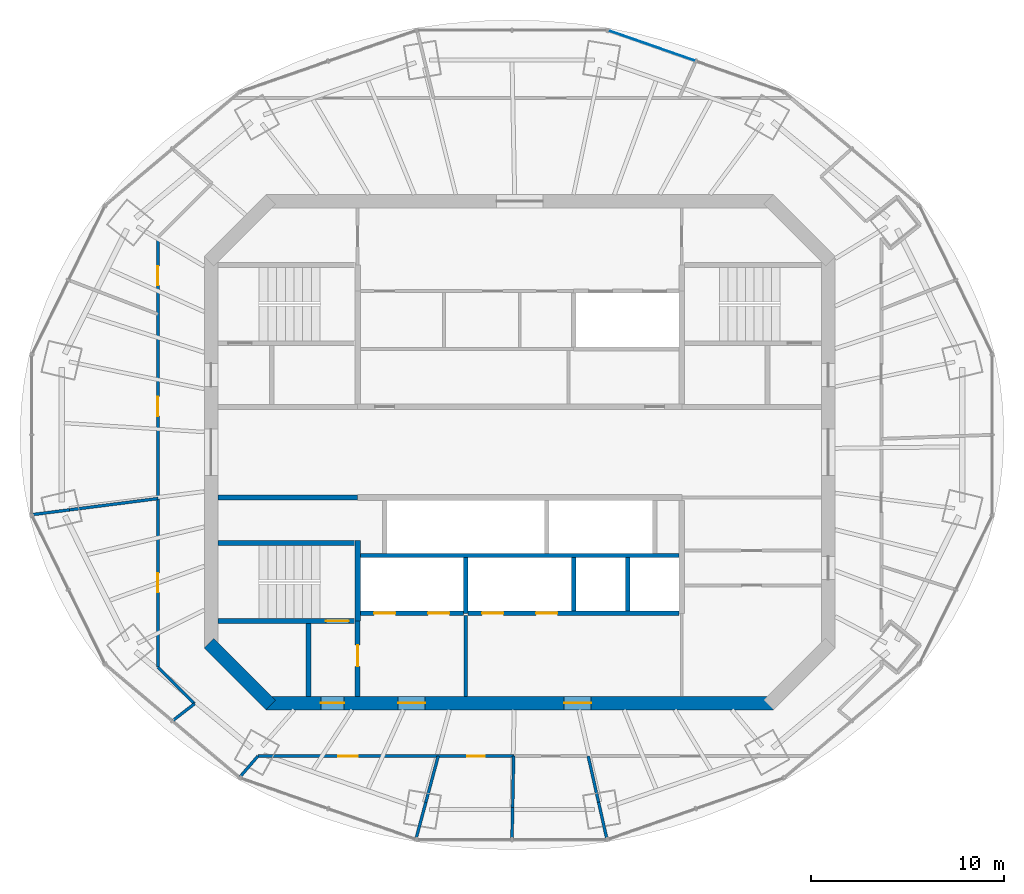
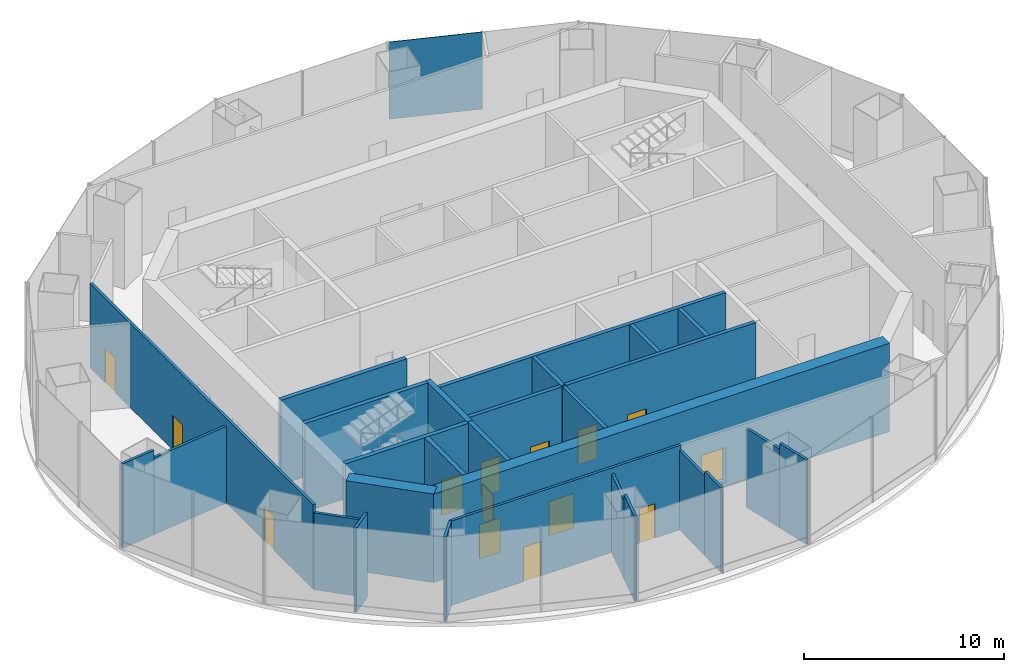
# One storey, part 7 of 11: 28 walls, 14 doors, 1 plate, 14 openings, 1 element without a shape of its own.
"""IFC4 building model written with IfcOpenShell, lengths in metres."""

from ifc_helpers import new_model, si_unit, direction, frame, frame_2d, origin, origin_2d, place, context, subcontext, project, spatial, rectangle, extrude, material, layer, layer_set, type_object, element, fill, aggregate, save


model = new_model("IFC4")

# Units and contexts
model_context = context("Model", 3, precision=1e-05, world=origin(), true_north=direction((0.0, 1.0)))
body_context = subcontext(model_context, "Body", "Model", "MODEL_VIEW")
ifc_project = project(units=[si_unit("LENGTHUNIT", "METRE"), si_unit("AREAUNIT", "SQUARE_METRE"), si_unit("VOLUMEUNIT", "CUBIC_METRE"), si_unit("PLANEANGLEUNIT", "RADIAN"), si_unit("MASSUNIT", "GRAM", prefix="KILO")], contexts=[model_context])

# Site, building, storey
site_placement = place(None, origin())
site = spatial("IfcSite", under=ifc_project, at=site_placement, CompositionType="ELEMENT")
building_placement = place(site_placement, origin())
building = spatial("IfcBuilding", under=site, at=building_placement, Name="Marenthal Gate Tower", CompositionType="ELEMENT")
storey_placement = place(building_placement, frame((0.0, 0.0, 396.550048828125)))
storey = spatial("IfcBuildingStorey", under=building, at=storey_placement, Name="L90", CompositionType="ELEMENT", Elevation=396.550048828125)

# Curtain wall, plate
ifc_material_1 = material(Name="Aluminium and glass", Category="aluminium")
curtain_wall_type = type_object("IfcCurtainWallType", Name="Curtain wall observation", PredefinedType="NOTDEFINED", material=ifc_material_1)
curtain_wall_placement = place(storey_placement, origin())
curtain_wall = element("IfcCurtainWall", 1, at=curtain_wall_placement, inside=storey, type_object=curtain_wall_type, Name="Curtain wall L90 bay 3", PredefinedType="NOTDEFINED")
ifc_material_2 = material(Name="Glass, laminated impact-rated unit", Category="glass")
ifc_layer_1 = layer(ifc_material_2, 0.0400390625)
ifc_layer_set_1 = layer_set([ifc_layer_1], Name="Glass panel 40 observation")
plate_type = type_object("IfcPlateType", Name="Glass panel 40 observation", PredefinedType="CURTAIN_PANEL", material=ifc_layer_set_1)
plate_placement = place(storey_placement, frame((6.852783203125, 21.066162109375, 0.4501953125), z_axis=(0.0, 0.0, 1.0), x_axis=(-0.944171666203, 0.329453888639, 0.0)))
plate = element("IfcPlate", 2, at=plate_placement, type_object=plate_type, Name="Glass panel L90 bay 3.2", PredefinedType="CURTAIN_PANEL", context=body_context, shape_type="SweptSolid", body=[
    extrude(rectangle(XDim=4.7451171875, YDim=0.0400390625, at=origin_2d()), origin(), (0.0, 0.0, 1.0), 4.699951171875),
])
aggregate(curtain_wall, [plate])

# Wall
ifc_material_3 = material(Name="Concrete 60 MPa", Category="concrete")
ifc_layer_2 = layer(ifc_material_3, 0.699951171875)
ifc_layer_set_2 = layer_set([ifc_layer_2], Name="Core shear wall 700")
wall_type_1 = type_object("IfcWallType", Name="Core shear wall 700", PredefinedType="SHEAR", material=ifc_layer_set_2)
wall_1_placement = place(storey_placement, frame((-16.1025390625, -9.8974609375, -0.25), z_axis=(0.0, 0.0, 1.0), x_axis=(0.707106781187, -0.707106781187, 0.0)))
element("IfcWall", 3, at=wall_1_placement, inside=storey, type_object=wall_type_1, Name="Core wall 07", PredefinedType="SHEAR", context=body_context, shape_type="SweptSolid", body=[
    extrude(rectangle(XDim=4.53271484375, YDim=0.699951171875, at=frame_2d((2.266357421875, 0.0))), origin(), (0.0, 0.0, 1.0), 5.39990234375),
])

# Wall, openings, doors
wall_2_placement = place(storey_placement, frame((-13.14501953125, -13.0, -0.25), z_axis=(0.0, 0.0, 1.0), x_axis=(1.0, 0.0, 0.0)))
wall_2 = element("IfcWall", 4, at=wall_2_placement, inside=storey, type_object=wall_type_1, Name="Core wall 08", PredefinedType="SHEAR", context=body_context, shape_type="SweptSolid", body=[
    extrude(rectangle(XDim=26.2900390625, YDim=0.699951171875, at=frame_2d((13.14501953125, 0.0))), origin(), (0.0, 0.0, 1.0), 5.39990234375),
])
opening_1_placement = place(wall_2_placement, frame((2.844970703125, 0.0, 0.25)))
opening_1 = element("IfcOpeningElement", 5, at=opening_1_placement, cuts=wall_2, Name="Opening D001.06", PredefinedType="OPENING", context=body_context, shape_type="SweptSolid", body=[
    extrude(rectangle(XDim=1.199951171875, YDim=2.10009765625, at=frame_2d((0.60009765625, 1.050048828125))), frame((0.0, 0.35986328125, 0.0), z_axis=(0.0, -1.0, 0.0), x_axis=(1.0, 0.0, 0.0)), (0.0, 0.0, 1.0), 0.719970703125),
])
opening_2_placement = place(wall_2_placement, frame((6.844970703125, 0.0, 0.25)))
opening_2 = element("IfcOpeningElement", 6, at=opening_2_placement, cuts=wall_2, Name="Opening D004.01", PredefinedType="OPENING", context=body_context, shape_type="SweptSolid", body=[
    extrude(rectangle(XDim=1.39990234375, YDim=2.10009765625, at=frame_2d((0.699951171875, 1.050048828125))), frame((0.0, 0.35986328125, 0.0), z_axis=(0.0, -1.0, 0.0), x_axis=(1.0, 0.0, 0.0)), (0.0, 0.0, 1.0), 0.719970703125),
])
opening_3_placement = place(wall_2_placement, frame((15.445068359375, 0.0, 0.25)))
opening_3 = element("IfcOpeningElement", 7, at=opening_3_placement, cuts=wall_2, Name="Opening D004.02", PredefinedType="OPENING", context=body_context, shape_type="SweptSolid", body=[
    extrude(rectangle(XDim=1.39990234375, YDim=2.10009765625, at=frame_2d((0.699951171875, 1.050048828125))), frame((0.0, 0.35986328125, 0.0), z_axis=(0.0, -1.0, 0.0), x_axis=(1.0, 0.0, 0.0)), (0.0, 0.0, 1.0), 0.719970703125),
])
ifc_material_4 = material(Name="Steel fire door", Category="steel")
door_type_1 = type_object("IfcDoorType", Name="Fire door FD 45 1400 x 2100", OperationType="NOTDEFINED", PredefinedType="DOOR", material=ifc_material_4)
door_1_placement = place(opening_2_placement, origin())
door_1 = element("IfcDoor", 8, at=door_1_placement, inside=storey, type_object=door_type_1, Name="Door D004.01", OperationType="SINGLE_SWING_RIGHT", OverallHeight=2.10009765625, OverallWidth=1.39990234375, PredefinedType="DOOR", context=body_context, shape_type="SweptSolid", body=[
    extrude(rectangle(XDim=1.39990234375, YDim=2.10009765625, at=frame_2d((0.699951171875, 1.050048828125))), frame((0.0, 0.02490234375, 0.0), z_axis=(0.0, -1.0, 0.0), x_axis=(1.0, 0.0, 0.0)), (0.0, 0.0, 1.0), 0.050048828125),
])
fill(opening_2, door_1)
door_2_placement = place(opening_3_placement, origin())
door_2 = element("IfcDoor", 9, at=door_2_placement, inside=storey, type_object=door_type_1, Name="Door D004.02", OperationType="SINGLE_SWING_RIGHT", OverallHeight=2.10009765625, OverallWidth=1.39990234375, PredefinedType="DOOR", context=body_context, shape_type="SweptSolid", body=[
    extrude(rectangle(XDim=1.39990234375, YDim=2.10009765625, at=frame_2d((0.699951171875, 1.050048828125))), frame((0.0, 0.02490234375, 0.0), z_axis=(0.0, -1.0, 0.0), x_axis=(1.0, 0.0, 0.0)), (0.0, 0.0, 1.0), 0.050048828125),
])
fill(opening_3, door_2)
ifc_material_5 = material(Name="Steel fire door", Category="steel")
door_type_2 = type_object("IfcDoorType", Name="Fire door FD 90 1200 x 2100", OperationType="NOTDEFINED", PredefinedType="DOOR", material=ifc_material_5)
door_3_placement = place(opening_1_placement, origin())
door_3 = element("IfcDoor", 10, at=door_3_placement, inside=storey, type_object=door_type_2, Name="Door D001.06", OperationType="SINGLE_SWING_RIGHT", OverallHeight=2.10009765625, OverallWidth=1.199951171875, PredefinedType="DOOR", context=body_context, shape_type="SweptSolid", body=[
    extrude(rectangle(XDim=1.199951171875, YDim=2.10009765625, at=frame_2d((0.60009765625, 1.050048828125))), frame((0.0, 0.02490234375, 0.0), z_axis=(0.0, -1.0, 0.0), x_axis=(1.0, 0.0, 0.0)), (0.0, 0.0, 1.0), 0.050048828125),
])
fill(opening_1, door_3)

# Walls
ifc_material_6 = material(Name="Gypsum board on steel studs", Category="steel")
ifc_layer_3 = layer(ifc_material_6, 0.199951171875)
ifc_layer_set_3 = layer_set([ifc_layer_3], Name="Fire lobby wall 200")
wall_type_2 = type_object("IfcWallType", Name="Fire lobby wall 200", PredefinedType="PARTITIONING", material=ifc_layer_set_3)
wall_3_placement = place(storey_placement, frame((-2.800048828125, -12.64990234375, 0.0), z_axis=(0.0, 0.0, 1.0), x_axis=(0.0, 1.0, 0.0)))
element("IfcWall", 11, at=wall_3_placement, inside=storey, type_object=wall_type_2, Name="Fire wall 39", PredefinedType="PARTITIONING", context=body_context, shape_type="SweptSolid", body=[
    extrude(rectangle(XDim=4.18994140625, YDim=0.199951171875, at=frame_2d((2.094970703125, 0.0))), origin(), (0.0, 0.0, 1.0), 5.14990234375),
])
ifc_material_7 = material(Name="Concrete 50 MPa", Category="concrete")
ifc_layer_4 = layer(ifc_material_7, 0.300048828125)
ifc_layer_set_4 = layer_set([ifc_layer_4], Name="Hoistway shear wall 300")
wall_type_3 = type_object("IfcWallType", Name="Hoistway shear wall 300", PredefinedType="SHEAR", material=ifc_layer_set_4)
wall_4_placement = place(storey_placement, frame((-8.39990234375, -8.75, -0.25), z_axis=(0.0, 0.0, 1.0), x_axis=(0.0, 1.0, 0.0)))
element("IfcWall", 12, at=wall_4_placement, inside=storey, type_object=wall_type_3, Name="Hoistway wall 33", PredefinedType="SHEAR", context=body_context, shape_type="SweptSolid", body=[
    extrude(rectangle(XDim=4.175048828125, YDim=0.300048828125, at=frame_2d((2.08740234375, 0.0))), origin(), (0.0, 0.0, 1.0), 5.39990234375),
])

# Wall, openings, doors
ifc_material_8 = material(Name="Concrete 40 MPa", Category="concrete")
ifc_layer_5 = layer(ifc_material_8, 0.219970703125)
ifc_layer_set_5 = layer_set([ifc_layer_5], Name="Hoistway wall 220")
wall_type_4 = type_object("IfcWallType", Name="Hoistway wall 220", PredefinedType="STANDARD", material=ifc_layer_set_5)
wall_5_placement = place(storey_placement, frame((-8.25, -8.35009765625, 0.0), z_axis=(0.0, 0.0, 1.0), x_axis=(1.0, 0.0, 0.0)))
wall_5 = element("IfcWall", 13, at=wall_5_placement, inside=storey, type_object=wall_type_4, Name="Hoistway wall 10", PredefinedType="STANDARD", context=body_context, shape_type="SweptSolid", body=[
    extrude(rectangle(XDim=5.340087890625, YDim=0.219970703125, at=frame_2d((2.669921875, 0.0))), origin(), (0.0, 0.0, 1.0), 5.14990234375),
])
opening_4_placement = place(wall_5_placement, frame((0.699951171875, 0.0, 0.0)))
opening_4 = element("IfcOpeningElement", 14, at=opening_4_placement, cuts=wall_5, Name="Opening LD-LF1", PredefinedType="OPENING", context=body_context, shape_type="SweptSolid", body=[
    extrude(rectangle(XDim=1.10009765625, YDim=2.10009765625, at=frame_2d((0.550048828125, 1.050048828125))), frame((0.0, 0.1201171875, 0.0), z_axis=(0.0, -1.0, 0.0), x_axis=(1.0, 0.0, 0.0)), (0.0, 0.0, 1.0), 0.239990234375),
])
opening_5_placement = place(wall_5_placement, frame((3.5, 0.0, 0.0)))
opening_5 = element("IfcOpeningElement", 15, at=opening_5_placement, cuts=wall_5, Name="Opening LD-LF2", PredefinedType="OPENING", context=body_context, shape_type="SweptSolid", body=[
    extrude(rectangle(XDim=1.10009765625, YDim=2.10009765625, at=frame_2d((0.550048828125, 1.050048828125))), frame((0.0, 0.1201171875, 0.0), z_axis=(0.0, -1.0, 0.0), x_axis=(1.0, 0.0, 0.0)), (0.0, 0.0, 1.0), 0.239990234375),
])
ifc_material_9 = material(Name="Stainless steel sliding door", Category="steel")
door_type_3 = type_object("IfcDoorType", Name="Lift landing door FD 90 1100 x 2100", OperationType="DOUBLE_DOOR_SLIDING", PredefinedType="DOOR", material=ifc_material_9)
door_4_placement = place(opening_4_placement, origin())
door_4 = element("IfcDoor", 16, at=door_4_placement, inside=storey, type_object=door_type_3, Name="Lift landing door LF1", OperationType="DOUBLE_DOOR_SLIDING", OverallHeight=2.10009765625, OverallWidth=1.10009765625, PredefinedType="DOOR", context=body_context, shape_type="SweptSolid", body=[
    extrude(rectangle(XDim=1.10009765625, YDim=2.10009765625, at=frame_2d((0.550048828125, 1.050048828125))), frame((0.0, 0.02490234375, 0.0), z_axis=(0.0, -1.0, 0.0), x_axis=(1.0, 0.0, 0.0)), (0.0, 0.0, 1.0), 0.050048828125),
])
fill(opening_4, door_4)
door_5_placement = place(opening_5_placement, origin())
door_5 = element("IfcDoor", 17, at=door_5_placement, inside=storey, type_object=door_type_3, Name="Lift landing door LF2", OperationType="DOUBLE_DOOR_SLIDING", OverallHeight=2.10009765625, OverallWidth=1.10009765625, PredefinedType="DOOR", context=body_context, shape_type="SweptSolid", body=[
    extrude(rectangle(XDim=1.10009765625, YDim=2.10009765625, at=frame_2d((0.550048828125, 1.050048828125))), frame((0.0, 0.02490234375, 0.0), z_axis=(0.0, -1.0, 0.0), x_axis=(1.0, 0.0, 0.0)), (0.0, 0.0, 1.0), 0.050048828125),
])
fill(opening_5, door_5)

wall_6_placement = place(storey_placement, frame((-2.68994140625, -8.35009765625, 0.0), z_axis=(0.0, 0.0, 1.0), x_axis=(1.0, 0.0, 0.0)))
wall_6 = element("IfcWall", 18, at=wall_6_placement, inside=storey, type_object=wall_type_4, Name="Hoistway wall 11", PredefinedType="STANDARD", context=body_context, shape_type="SweptSolid", body=[
    extrude(rectangle(XDim=10.93994140625, YDim=0.219970703125, at=frame_2d((5.469970703125, 0.0))), origin(), (0.0, 0.0, 1.0), 5.14990234375),
])
opening_6_placement = place(wall_6_placement, frame((0.739990234375, 0.0, 0.0)))
opening_6 = element("IfcOpeningElement", 19, at=opening_6_placement, cuts=wall_6, Name="Opening LD-SV1", PredefinedType="OPENING", context=body_context, shape_type="SweptSolid", body=[
    extrude(rectangle(XDim=1.10009765625, YDim=2.10009765625, at=frame_2d((0.550048828125, 1.050048828125))), frame((0.0, 0.1201171875, 0.0), z_axis=(0.0, -1.0, 0.0), x_axis=(1.0, 0.0, 0.0)), (0.0, 0.0, 1.0), 0.239990234375),
])
opening_7_placement = place(wall_6_placement, frame((3.5400390625, 0.0, 0.0)))
opening_7 = element("IfcOpeningElement", 20, at=opening_7_placement, cuts=wall_6, Name="Opening LD-SV2", PredefinedType="OPENING", context=body_context, shape_type="SweptSolid", body=[
    extrude(rectangle(XDim=1.10009765625, YDim=2.10009765625, at=frame_2d((0.550048828125, 1.050048828125))), frame((0.0, 0.1201171875, 0.0), z_axis=(0.0, -1.0, 0.0), x_axis=(1.0, 0.0, 0.0)), (0.0, 0.0, 1.0), 0.239990234375),
])
door_6_placement = place(opening_6_placement, origin())
door_6 = element("IfcDoor", 21, at=door_6_placement, inside=storey, type_object=door_type_3, Name="Lift landing door SV1", OperationType="DOUBLE_DOOR_SLIDING", OverallHeight=2.10009765625, OverallWidth=1.10009765625, PredefinedType="DOOR", context=body_context, shape_type="SweptSolid", body=[
    extrude(rectangle(XDim=1.10009765625, YDim=2.10009765625, at=frame_2d((0.550048828125, 1.050048828125))), frame((0.0, 0.02490234375, 0.0), z_axis=(0.0, -1.0, 0.0), x_axis=(1.0, 0.0, 0.0)), (0.0, 0.0, 1.0), 0.050048828125),
])
fill(opening_6, door_6)
door_7_placement = place(opening_7_placement, origin())
door_7 = element("IfcDoor", 22, at=door_7_placement, inside=storey, type_object=door_type_3, Name="Lift landing door SV2", OperationType="DOUBLE_DOOR_SLIDING", OverallHeight=2.10009765625, OverallWidth=1.10009765625, PredefinedType="DOOR", context=body_context, shape_type="SweptSolid", body=[
    extrude(rectangle(XDim=1.10009765625, YDim=2.10009765625, at=frame_2d((0.550048828125, 1.050048828125))), frame((0.0, 0.02490234375, 0.0), z_axis=(0.0, -1.0, 0.0), x_axis=(1.0, 0.0, 0.0)), (0.0, 0.0, 1.0), 0.050048828125),
])
fill(opening_7, door_7)

# Walls
wall_7_placement = place(storey_placement, frame((-8.25, -5.35009765625, 0.0), z_axis=(0.0, 0.0, 1.0), x_axis=(1.0, 0.0, 0.0)))
element("IfcWall", 23, at=wall_7_placement, inside=storey, type_object=wall_type_4, Name="Hoistway wall 13", PredefinedType="STANDARD", context=body_context, shape_type="SweptSolid", body=[
    extrude(rectangle(XDim=16.5, YDim=0.219970703125, at=frame_2d((8.25, 0.0))), origin(), (0.0, 0.0, 1.0), 5.14990234375),
])
wall_8_placement = place(storey_placement, frame((-2.800048828125, -8.35009765625, 0.0), z_axis=(0.0, 0.0, 1.0), x_axis=(0.0, 1.0, 0.0)))
element("IfcWall", 24, at=wall_8_placement, inside=storey, type_object=wall_type_4, Name="Hoistway wall 40", PredefinedType="STANDARD", context=body_context, shape_type="SweptSolid", body=[
    extrude(rectangle(XDim=2.89013671875, YDim=0.219970703125, at=frame_2d((1.445068359375, 0.0))), origin(), (0.0, 0.0, 1.0), 5.14990234375),
])
for number, where, z_axis, x_axis, name in (
    (25, (2.800048828125, -8.239990234375, 0.0), (0.0, 0.0, 1.0), (0.0, 1.0, 0.0), "Hoistway wall 44"),
    (26, (5.60009765625, -8.239990234375, 0.0), (0.0, 0.0, 1.0), (0.0, 1.0, 0.0), "Hoistway wall 46"),
):
    element("IfcWall", number, at=place(storey_placement, frame(where, z_axis=z_axis, x_axis=x_axis)), inside=storey, type_object=wall_type_4, Name=name, PredefinedType="STANDARD", context=body_context, shape_type="SweptSolid", body=[
        extrude(rectangle(XDim=2.780029296875, YDim=0.219970703125, at=frame_2d((1.39013671875, 0.0))), origin(), (0.0, 0.0, 1.0), 5.14990234375),
    ])
ifc_material_10 = material(Name="Gypsum board on steel studs", Category="steel")
ifc_layer_6 = layer(ifc_material_10, 0.14990234375)
ifc_layer_set_6 = layer_set([ifc_layer_6], Name="Partition 150")
wall_type_5 = type_object("IfcWallType", Name="Partition 150", PredefinedType="PARTITIONING", material=ifc_layer_set_6)
wall_9_placement = place(storey_placement, frame((-25.272216796875, -3.23828125, 0.0), z_axis=(0.0, 0.0, 1.0), x_axis=(0.991889327686, 0.127104530296, 0.0)))
element("IfcWall", 27, at=wall_9_placement, inside=storey, type_object=wall_type_5, Name="Partition wall 57", PredefinedType="PARTITIONING", context=body_context, shape_type="SweptSolid", body=[
    extrude(rectangle(XDim=1.957275390625, YDim=0.14990234375, at=frame_2d((0.978515625, 0.0))), origin(), (0.0, 0.0, 1.0), 5.14990234375),
])
wall_10_placement = place(storey_placement, frame((-23.330810546875, -2.989501953125, 0.0), z_axis=(0.0, 0.0, 1.0), x_axis=(0.991891748856, 0.12708563472, 0.0)))
element("IfcWall", 28, at=wall_10_placement, inside=storey, type_object=wall_type_5, Name="Partition wall 88", PredefinedType="PARTITIONING", context=body_context, shape_type="SweptSolid", body=[
    extrude(rectangle(XDim=4.6181640625, YDim=0.14990234375, at=frame_2d((2.30908203125, 0.0))), origin(), (0.0, 0.0, 1.0), 4.682861328125),
])
wall_11_placement = place(storey_placement, frame((-17.9853515625, -13.9150390625, 0.0), z_axis=(0.0, 0.0, 1.0), x_axis=(0.790899150715, 0.611946511877, 0.0)))
element("IfcWall", 29, at=wall_11_placement, inside=storey, type_object=wall_type_5, Name="Partition wall 59", PredefinedType="PARTITIONING", context=body_context, shape_type="SweptSolid", body=[
    extrude(rectangle(XDim=1.433837890625, YDim=0.14990234375, at=frame_2d((0.716796875, 0.0))), origin(), (0.0, 0.0, 1.0), 5.14990234375),
])

# Wall, openings, doors
wall_12_placement = place(storey_placement, frame((-18.75, -11.13916015625, 0.0), z_axis=(0.0, 0.0, 1.0), x_axis=(0.0, 1.0, 0.0)))
wall_12 = element("IfcWall", 30, at=wall_12_placement, inside=storey, type_object=wall_type_5, Name="Partition wall 70", PredefinedType="PARTITIONING", context=body_context, shape_type="SweptSolid", body=[
    extrude(rectangle(XDim=22.2783203125, YDim=0.14990234375, at=frame_2d((11.13916015625, 0.0))), origin(), (0.0, 0.0, 1.0), 5.14990234375),
])
opening_8_placement = place(wall_12_placement, frame((19.78466796875, 0.0, 0.0)))
opening_8 = element("IfcOpeningElement", 31, at=opening_8_placement, cuts=wall_12, Name="Opening D012.06", PredefinedType="OPENING", context=body_context, shape_type="SweptSolid", body=[
    extrude(rectangle(XDim=1.0, YDim=2.10009765625, at=frame_2d((0.5, 1.050048828125))), frame((0.0, 0.0849609375, 0.0), z_axis=(0.0, -1.0, 0.0), x_axis=(1.0, 0.0, 0.0)), (0.0, 0.0, 1.0), 0.169921875),
])
opening_9_placement = place(wall_12_placement, frame((13.013671875, 0.0, 0.0)))
opening_9 = element("IfcOpeningElement", 32, at=opening_9_placement, cuts=wall_12, Name="Opening D012.07", PredefinedType="OPENING", context=body_context, shape_type="SweptSolid", body=[
    extrude(rectangle(XDim=1.0, YDim=2.10009765625, at=frame_2d((0.5, 1.050048828125))), frame((0.0, 0.0849609375, 0.0), z_axis=(0.0, -1.0, 0.0), x_axis=(1.0, 0.0, 0.0)), (0.0, 0.0, 1.0), 0.169921875),
])
opening_10_placement = place(wall_12_placement, frame((3.8681640625, 0.0, 0.0)))
opening_10 = element("IfcOpeningElement", 33, at=opening_10_placement, cuts=wall_12, Name="Opening D012.08", PredefinedType="OPENING", context=body_context, shape_type="SweptSolid", body=[
    extrude(rectangle(XDim=1.0, YDim=2.10009765625, at=frame_2d((0.5, 1.050048828125))), frame((0.0, 0.0849609375, 0.0), z_axis=(0.0, -1.0, 0.0), x_axis=(1.0, 0.0, 0.0)), (0.0, 0.0, 1.0), 0.169921875),
])
ifc_material_11 = material(Name="Timber door", Category="wood")
door_type_4 = type_object("IfcDoorType", Name="Door 1000 x 2100", OperationType="NOTDEFINED", PredefinedType="DOOR", material=ifc_material_11)
door_8_placement = place(opening_8_placement, origin())
door_8 = element("IfcDoor", 34, at=door_8_placement, inside=storey, type_object=door_type_4, Name="Door D012.06", OperationType="SINGLE_SWING_RIGHT", OverallHeight=2.10009765625, OverallWidth=1.0, PredefinedType="DOOR", context=body_context, shape_type="SweptSolid", body=[
    extrude(rectangle(XDim=1.0, YDim=2.10009765625, at=frame_2d((0.5, 1.050048828125))), frame((0.0, 0.02490234375, 0.0), z_axis=(0.0, -1.0, 0.0), x_axis=(1.0, 0.0, 0.0)), (0.0, 0.0, 1.0), 0.050048828125),
])
fill(opening_8, door_8)
door_9_placement = place(opening_9_placement, origin())
door_9 = element("IfcDoor", 35, at=door_9_placement, inside=storey, type_object=door_type_4, Name="Door D012.07", OperationType="SINGLE_SWING_RIGHT", OverallHeight=2.10009765625, OverallWidth=1.0, PredefinedType="DOOR", context=body_context, shape_type="SweptSolid", body=[
    extrude(rectangle(XDim=1.0, YDim=2.10009765625, at=frame_2d((0.5, 1.050048828125))), frame((0.0, 0.02490234375, 0.0), z_axis=(0.0, -1.0, 0.0), x_axis=(1.0, 0.0, 0.0)), (0.0, 0.0, 1.0), 0.050048828125),
])
fill(opening_9, door_9)
door_10_placement = place(opening_10_placement, origin())
door_10 = element("IfcDoor", 36, at=door_10_placement, inside=storey, type_object=door_type_4, Name="Door D012.08", OperationType="SINGLE_SWING_RIGHT", OverallHeight=2.10009765625, OverallWidth=1.0, PredefinedType="DOOR", context=body_context, shape_type="SweptSolid", body=[
    extrude(rectangle(XDim=1.0, YDim=2.10009765625, at=frame_2d((0.5, 1.050048828125))), frame((0.0, 0.02490234375, 0.0), z_axis=(0.0, -1.0, 0.0), x_axis=(1.0, 0.0, 0.0)), (0.0, 0.0, 1.0), 0.050048828125),
])
fill(opening_10, door_10)

# Walls
wall_13_placement = place(storey_placement, frame((4.516845703125, -20.04931640625, 0.0), z_axis=(0.0, 0.0, 1.0), x_axis=(-0.21980060665, 0.975544818712, 0.0)))
element("IfcWall", 37, at=wall_13_placement, inside=storey, type_object=wall_type_5, Name="Partition wall 71", PredefinedType="PARTITIONING", context=body_context, shape_type="SweptSolid", body=[
    extrude(rectangle(XDim=1.953857421875, YDim=0.14990234375, at=frame_2d((0.97705078125, 0.0))), origin(), (0.0, 0.0, 1.0), 5.14990234375),
])
wall_14_placement = place(storey_placement, frame((4.08740234375, -18.143310546875, 0.0), z_axis=(0.0, 0.0, 1.0), x_axis=(-0.219732416391, 0.975560180198, 0.0)))
element("IfcWall", 38, at=wall_14_placement, inside=storey, type_object=wall_type_5, Name="Partition wall 89", PredefinedType="PARTITIONING", context=body_context, shape_type="SweptSolid", body=[
    extrude(rectangle(XDim=2.453369140625, YDim=0.14990234375, at=frame_2d((1.2265625, 0.0))), origin(), (0.0, 0.0, 1.0), 4.796875),
])
wall_15_placement = place(storey_placement, frame((-16.847900390625, -13.041259765625, 0.0), z_axis=(0.0, 0.0, 1.0), x_axis=(-0.707106781187, 0.707106781187, 0.0)))
element("IfcWall", 39, at=wall_15_placement, inside=storey, type_object=wall_type_5, Name="Partition wall 76", PredefinedType="PARTITIONING", context=body_context, shape_type="SweptSolid", body=[
    extrude(rectangle(XDim=2.68994140625, YDim=0.14990234375, at=frame_2d((1.344970703125, 0.0))), origin(), (0.0, 0.0, 1.0), 4.68798828125),
])
ifc_material_12 = material(Name="Concrete 40 MPa", Category="concrete")
ifc_layer_7 = layer(ifc_material_12, 0.25)
ifc_layer_set_7 = layer_set([ifc_layer_7], Name="Stair enclosure wall 250")
wall_type_6 = type_object("IfcWallType", Name="Stair enclosure wall 250", PredefinedType="STANDARD", material=ifc_layer_set_7)
wall_16_placement = place(storey_placement, frame((-15.64990234375, -2.35009765625, 0.0), z_axis=(0.0, 0.0, 1.0), x_axis=(1.0, 0.0, 0.0)))
element("IfcWall", 40, at=wall_16_placement, inside=storey, type_object=wall_type_6, Name="Stair wall 16", PredefinedType="STANDARD", context=body_context, shape_type="SweptSolid", body=[
    extrude(rectangle(XDim=7.25, YDim=0.25, at=frame_2d((3.625, 0.0))), origin(), (0.0, 0.0, 1.0), 5.14990234375),
])
wall_17_placement = place(storey_placement, frame((-10.949951171875, -12.64990234375, 0.0), z_axis=(0.0, 0.0, 1.0), x_axis=(0.0, 1.0, 0.0)))
element("IfcWall", 41, at=wall_17_placement, inside=storey, type_object=wall_type_6, Name="Stair wall 31", PredefinedType="STANDARD", context=body_context, shape_type="SweptSolid", body=[
    extrude(rectangle(XDim=3.77490234375, YDim=0.25, at=frame_2d((1.887451171875, 0.0))), origin(), (0.0, 0.0, 1.0), 5.14990234375),
])

# Wall, opening, door
wall_18_placement = place(storey_placement, frame((-8.39990234375, -12.64990234375, 0.0), z_axis=(0.0, 0.0, 1.0), x_axis=(0.0, 1.0, 0.0)))
wall_18 = element("IfcWall", 42, at=wall_18_placement, inside=storey, type_object=wall_type_6, Name="Stair wall 32", PredefinedType="STANDARD", context=body_context, shape_type="SweptSolid", body=[
    extrude(rectangle(XDim=3.89990234375, YDim=0.25, at=frame_2d((1.949951171875, 0.0))), origin(), (0.0, 0.0, 1.0), 5.14990234375),
])
opening_11_placement = place(wall_18_placement, frame((1.550048828125, 0.0, 0.0)))
opening_11 = element("IfcOpeningElement", 43, at=opening_11_placement, cuts=wall_18, Name="Opening D002.01", PredefinedType="OPENING", context=body_context, shape_type="SweptSolid", body=[
    extrude(rectangle(XDim=1.10009765625, YDim=2.10009765625, at=frame_2d((0.550048828125, 1.050048828125))), frame((0.0, 0.135009765625, 0.0), z_axis=(0.0, -1.0, 0.0), x_axis=(1.0, 0.0, 0.0)), (0.0, 0.0, 1.0), 0.27001953125),
])
ifc_material_13 = material(Name="Steel fire door", Category="steel")
door_type_5 = type_object("IfcDoorType", Name="Fire door FD 90 1100 x 2100", OperationType="NOTDEFINED", PredefinedType="DOOR", material=ifc_material_13)
door_11_placement = place(opening_11_placement, origin())
door_11 = element("IfcDoor", 44, at=door_11_placement, inside=storey, type_object=door_type_5, Name="Door D002.01", OperationType="SINGLE_SWING_RIGHT", OverallHeight=2.10009765625, OverallWidth=1.10009765625, PredefinedType="DOOR", context=body_context, shape_type="SweptSolid", body=[
    extrude(rectangle(XDim=1.10009765625, YDim=2.10009765625, at=frame_2d((0.550048828125, 1.050048828125))), frame((0.0, 0.02490234375, 0.0), z_axis=(0.0, -1.0, 0.0), x_axis=(1.0, 0.0, 0.0)), (0.0, 0.0, 1.0), 0.050048828125),
])
fill(opening_11, door_11)

ifc_material_14 = material(Name="Concrete 50 MPa", Category="concrete")
ifc_layer_8 = layer(ifc_material_14, 0.25)
ifc_layer_set_8 = layer_set([ifc_layer_8], Name="Stair shear wall 250")
wall_type_7 = type_object("IfcWallType", Name="Stair shear wall 250", PredefinedType="SHEAR", material=ifc_layer_set_8)
wall_19_placement = place(storey_placement, frame((-15.64990234375, -8.75, -0.25), z_axis=(0.0, 0.0, 1.0), x_axis=(1.0, 0.0, 0.0)))
wall_19 = element("IfcWall", 45, at=wall_19_placement, inside=storey, type_object=wall_type_7, Name="Stair wall 09", PredefinedType="SHEAR", context=body_context, shape_type="SweptSolid", body=[
    extrude(rectangle(XDim=7.099853515625, YDim=0.25, at=frame_2d((3.5498046875, 0.0))), origin(), (0.0, 0.0, 1.0), 5.39990234375),
])
opening_12_placement = place(wall_19_placement, frame((5.60009765625, 0.0, 0.25)))
opening_12 = element("IfcOpeningElement", 46, at=opening_12_placement, cuts=wall_19, Name="Opening D001.03", PredefinedType="OPENING", context=body_context, shape_type="SweptSolid", body=[
    extrude(rectangle(XDim=1.199951171875, YDim=2.10009765625, at=frame_2d((0.60009765625, 1.050048828125))), frame((0.0, 0.135009765625, 0.0), z_axis=(0.0, -1.0, 0.0), x_axis=(1.0, 0.0, 0.0)), (0.0, 0.0, 1.0), 0.27001953125),
])
door_12_placement = place(opening_12_placement, origin())
door_12 = element("IfcDoor", 47, at=door_12_placement, inside=storey, type_object=door_type_2, Name="Door D001.03", OperationType="SINGLE_SWING_RIGHT", OverallHeight=2.10009765625, OverallWidth=1.199951171875, PredefinedType="DOOR", context=body_context, shape_type="SweptSolid", body=[
    extrude(rectangle(XDim=1.199951171875, YDim=2.10009765625, at=frame_2d((0.60009765625, 1.050048828125))), frame((0.0, 0.02490234375, 0.0), z_axis=(0.0, -1.0, 0.0), x_axis=(1.0, 0.0, 0.0)), (0.0, 0.0, 1.0), 0.050048828125),
])
fill(opening_12, door_12)

# Wall
wall_20_placement = place(storey_placement, frame((-15.64990234375, -4.699951171875, -0.25), z_axis=(0.0, 0.0, 1.0), x_axis=(1.0, 0.0, 0.0)))
element("IfcWall", 48, at=wall_20_placement, inside=storey, type_object=wall_type_7, Name="Stair wall 15", PredefinedType="SHEAR", context=body_context, shape_type="SweptSolid", body=[
    extrude(rectangle(XDim=7.099853515625, YDim=0.25, at=frame_2d((3.5498046875, 0.0))), origin(), (0.0, 0.0, 1.0), 5.39990234375),
])

# Wall, openings, doors
ifc_material_15 = material(Name="Gypsum board on steel studs", Category="steel")
ifc_layer_9 = layer(ifc_material_15, 0.14990234375)
ifc_layer_set_9 = layer_set([ifc_layer_9], Name="Wet room partition 150")
wall_type_8 = type_object("IfcWallType", Name="Wet room partition 150", PredefinedType="PARTITIONING", material=ifc_layer_set_9)
wall_21_placement = place(storey_placement, frame((-13.569091796875, -15.75, 0.0), z_axis=(0.0, 0.0, 1.0), x_axis=(1.0, 0.0, 0.0)))
wall_21 = element("IfcWall", 49, at=wall_21_placement, inside=storey, type_object=wall_type_8, Name="Wet wall 84", PredefinedType="PARTITIONING", context=body_context, shape_type="SweptSolid", body=[
    extrude(rectangle(XDim=13.26025390625, YDim=0.14990234375, at=frame_2d((6.630126953125, 0.0))), origin(), (0.0, 0.0, 1.0), 5.14990234375),
])
opening_13_placement = place(wall_21_placement, frame((4.172607421875, 0.0, 0.0)))
opening_13 = element("IfcOpeningElement", 50, at=opening_13_placement, cuts=wall_21, Name="Opening D012.09", PredefinedType="OPENING", context=body_context, shape_type="SweptSolid", body=[
    extrude(rectangle(XDim=1.0, YDim=2.10009765625, at=frame_2d((0.5, 1.050048828125))), frame((0.0, 0.0849609375, 0.0), z_axis=(0.0, -1.0, 0.0), x_axis=(1.0, 0.0, 0.0)), (0.0, 0.0, 1.0), 0.169921875),
])
opening_14_placement = place(wall_21_placement, frame((10.850341796875, 0.0, 0.0)))
opening_14 = element("IfcOpeningElement", 51, at=opening_14_placement, cuts=wall_21, Name="Opening D011.01", PredefinedType="OPENING", context=body_context, shape_type="SweptSolid", body=[
    extrude(rectangle(XDim=0.89990234375, YDim=2.10009765625, at=frame_2d((0.449951171875, 1.050048828125))), frame((0.0, 0.0849609375, 0.0), z_axis=(0.0, -1.0, 0.0), x_axis=(1.0, 0.0, 0.0)), (0.0, 0.0, 1.0), 0.169921875),
])
door_13_placement = place(opening_13_placement, frame((1.0, 0.0, 0.0), z_axis=(0.0, 0.0, 1.0), x_axis=(-1.0, 0.0, 0.0)))
door_13 = element("IfcDoor", 52, at=door_13_placement, inside=storey, type_object=door_type_4, Name="Door D012.09", OperationType="SINGLE_SWING_LEFT", OverallHeight=2.10009765625, OverallWidth=1.0, PredefinedType="DOOR", context=body_context, shape_type="SweptSolid", body=[
    extrude(rectangle(XDim=1.0, YDim=2.10009765625, at=frame_2d((0.5, 1.050048828125))), frame((0.0, 0.02490234375, 0.0), z_axis=(0.0, -1.0, 0.0), x_axis=(1.0, 0.0, 0.0)), (0.0, 0.0, 1.0), 0.050048828125),
])
fill(opening_13, door_13)
ifc_material_16 = material(Name="Timber door", Category="wood")
door_type_6 = type_object("IfcDoorType", Name="Door 900 x 2100", OperationType="NOTDEFINED", PredefinedType="DOOR", material=ifc_material_16)
door_14_placement = place(opening_14_placement, frame((0.89990234375, 0.0, 0.0), z_axis=(0.0, 0.0, 1.0), x_axis=(-1.0, 0.0, 0.0)))
door_14 = element("IfcDoor", 53, at=door_14_placement, inside=storey, type_object=door_type_6, Name="Door D011.01", OperationType="SINGLE_SWING_LEFT", OverallHeight=2.10009765625, OverallWidth=0.89990234375, PredefinedType="DOOR", context=body_context, shape_type="SweptSolid", body=[
    extrude(rectangle(XDim=0.89990234375, YDim=2.10009765625, at=frame_2d((0.449951171875, 1.050048828125))), frame((0.0, 0.02490234375, 0.0), z_axis=(0.0, -1.0, 0.0), x_axis=(1.0, 0.0, 0.0)), (0.0, 0.0, 1.0), 0.050048828125),
])
fill(opening_14, door_14)

# Walls
wall_22_placement = place(storey_placement, frame((-14.51025390625, -16.84228515625, 0.0), z_axis=(0.0, 0.0, 1.0), x_axis=(0.652755375962, 0.757568755396, 0.0)))
element("IfcWall", 54, at=wall_22_placement, inside=storey, type_object=wall_type_8, Name="Wet wall 85", PredefinedType="PARTITIONING", context=body_context, shape_type="SweptSolid", body=[
    extrude(rectangle(XDim=1.44189453125, YDim=0.14990234375, at=frame_2d((0.720947265625, 0.0))), origin(), (0.0, 0.0, 1.0), 5.14990234375),
])
wall_23_placement = place(storey_placement, frame((-5.37451171875, -20.0400390625, 0.0), z_axis=(0.0, 0.0, 1.0), x_axis=(0.259012288833, 0.965874026068, 0.0)))
element("IfcWall", 55, at=wall_23_placement, inside=storey, type_object=wall_type_8, Name="Wet wall 86", PredefinedType="PARTITIONING", context=body_context, shape_type="SweptSolid", body=[
    extrude(rectangle(XDim=1.958740234375, YDim=0.14990234375, at=frame_2d((0.9794921875, 0.0))), origin(), (0.0, 0.0, 1.0), 5.14990234375),
])
wall_24_placement = place(storey_placement, frame((-4.8671875, -18.148193359375, 0.0), z_axis=(0.0, 0.0, 1.0), x_axis=(0.258996568108, 0.965878241658, 0.0)))
element("IfcWall", 56, at=wall_24_placement, inside=storey, type_object=wall_type_8, Name="Wet wall 92", PredefinedType="PARTITIONING", context=body_context, shape_type="SweptSolid", body=[
    extrude(rectangle(XDim=2.48291015625, YDim=0.14990234375, at=frame_2d((1.241455078125, 0.0))), origin(), (0.0, 0.0, 1.0), 4.796875),
])
wall_25_placement = place(storey_placement, frame((-0.399658203125, -20.04931640625, 0.0), z_axis=(0.0, 0.0, 1.0), x_axis=(0.02000495506, 0.999799880863, 0.0)))
element("IfcWall", 57, at=wall_25_placement, inside=storey, type_object=wall_type_8, Name="Wet wall 87", PredefinedType="PARTITIONING", context=body_context, shape_type="SweptSolid", body=[
    extrude(rectangle(XDim=1.63525390625, YDim=0.14990234375, at=frame_2d((0.817626953125, 0.0))), origin(), (0.0, 0.0, 1.0), 5.14990234375),
])
wall_26_placement = place(storey_placement, frame((-0.366943359375, -18.414306640625, 0.0), z_axis=(0.0, 0.0, 1.0), x_axis=(0.019880611414, 0.999802361114, 0.0)))
element("IfcWall", 58, at=wall_26_placement, inside=storey, type_object=wall_type_8, Name="Wet wall 93", PredefinedType="PARTITIONING", context=body_context, shape_type="SweptSolid", body=[
    extrude(rectangle(XDim=2.664794921875, YDim=0.14990234375, at=frame_2d((1.33251953125, 0.0))), origin(), (0.0, 0.0, 1.0), 4.83984375),
])

save(model, "model.ifc")
